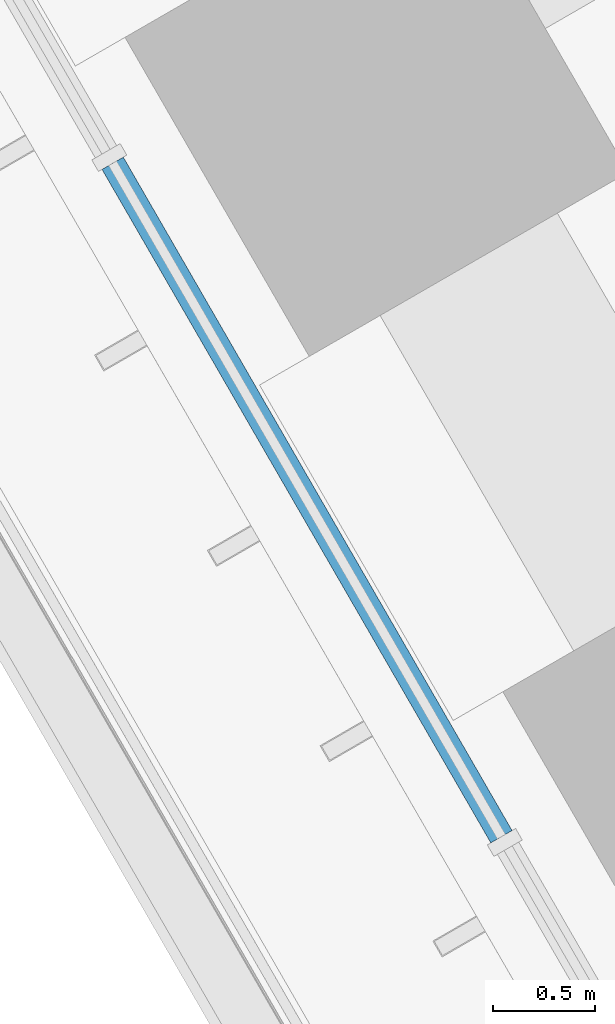
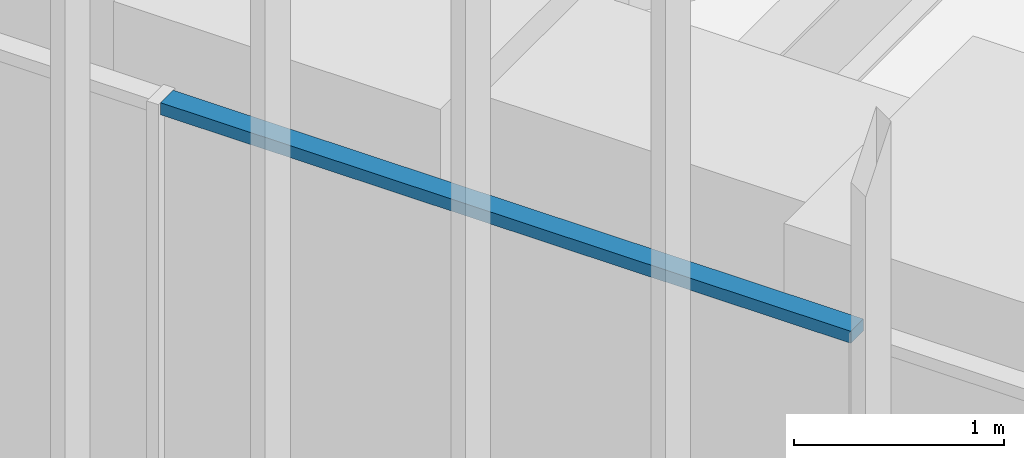
# One storey, part 56 of 228: 1 member, 1 element without a shape of its own.
"""IFC4 building model written with IfcOpenShell, lengths in metres."""

from ifc_helpers import new_model, si_unit, direction, frame, origin, origin_2d, place, context, subcontext, project, spatial, rectangle, extrude, material, material_profile, profile_set, type_object, element, aggregate, save


model = new_model("IFC4")

# Units and contexts
model_context = context("Model", 3, precision=1e-05, world=origin(), true_north=direction((0.0, 1.0)))
body_context = subcontext(model_context, "Body", "Model", "MODEL_VIEW")
ifc_project = project(units=[si_unit("LENGTHUNIT", "METRE"), si_unit("AREAUNIT", "SQUARE_METRE"), si_unit("VOLUMEUNIT", "CUBIC_METRE"), si_unit("PLANEANGLEUNIT", "RADIAN"), si_unit("MASSUNIT", "GRAM", prefix="KILO")], contexts=[model_context])

# Site, building, storey
site_placement = place(None, origin())
site = spatial("IfcSite", under=ifc_project, at=site_placement, CompositionType="ELEMENT")
building_placement = place(site_placement, origin())
building = spatial("IfcBuilding", under=site, at=building_placement, Name="Sandreach Pilgrim Tower", CompositionType="ELEMENT")
storey_placement = place(building_placement, frame((0.0, 0.0, 178.199951171875)))
storey = spatial("IfcBuildingStorey", under=building, at=storey_placement, Name="L44", CompositionType="ELEMENT", Elevation=178.199951171875)

# Curtain wall, member
ifc_material_1 = material(Name="Aluminium framed curtain wall", Category="aluminium")
curtain_wall_type = type_object("IfcCurtainWallType", Name="Upper hotel tower curtain wall", PredefinedType="NOTDEFINED", material=ifc_material_1)
curtain_wall_placement = place(storey_placement, origin())
curtain_wall = element("IfcCurtainWall", 1, at=curtain_wall_placement, inside=storey, type_object=curtain_wall_type, Name="CW-3 L44 SW", PredefinedType="NOTDEFINED")
ifc_material_2 = material(Name="Aluminium extrusion", Category="aluminium")
ifc_material_profile = material_profile(ifc_material_2, rectangle(XDim=0.1201171875, YDim=0.070068359375, at=origin_2d()), Name="CW-3T 120X70")
ifc_profile_set = profile_set([ifc_material_profile], Name="Aluminium extrusion")
member_type = type_object("IfcMemberType", Name="CW-3 transom", PredefinedType="USERDEFINED", material=ifc_profile_set)
member_placement = place(storey_placement, frame((-21.23974609375, -5.531982421875, 4.804931640625), z_axis=(-0.499974606132, 0.866040064445, 0.0), x_axis=(-0.866040064445, -0.499974606132, 0.0)))
member = element("IfcMember", 2, at=member_placement, type_object=member_type, Name="CW-3 head transom 7", ObjectType="TRANSOM", PredefinedType="USERDEFINED", context=body_context, shape_type="SweptSolid", body=[
    extrude(rectangle(XDim=0.1201171875, YDim=0.070068359375, at=origin_2d()), origin(), (0.0, 0.0, 1.0), 3.799560546875),
])
aggregate(curtain_wall, [member])

save(model, "model.ifc")
